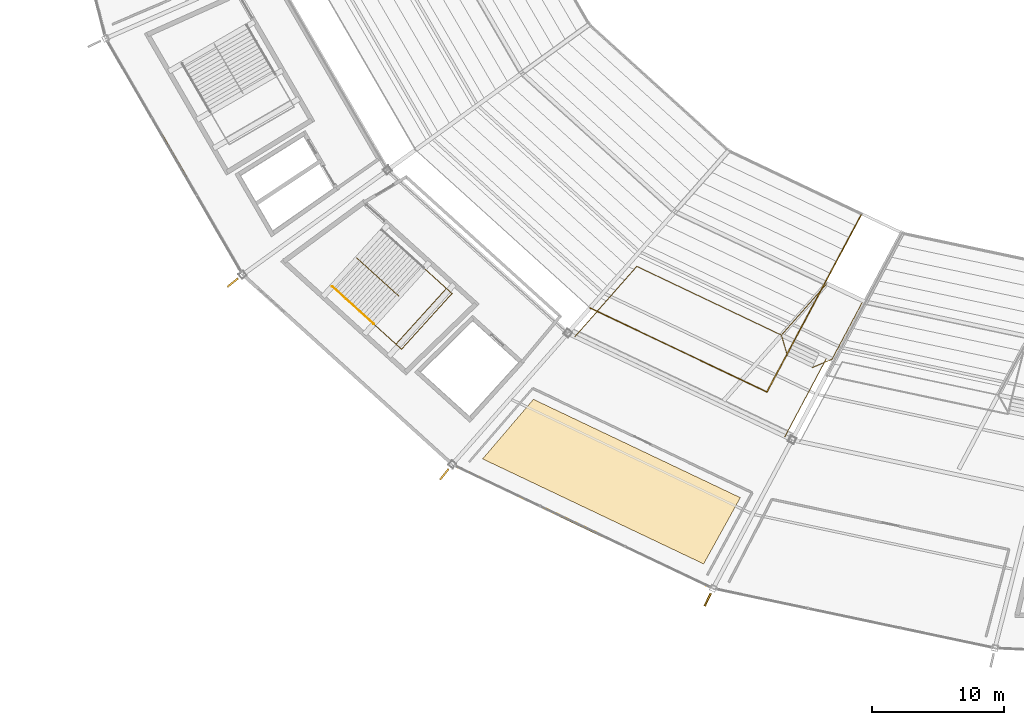
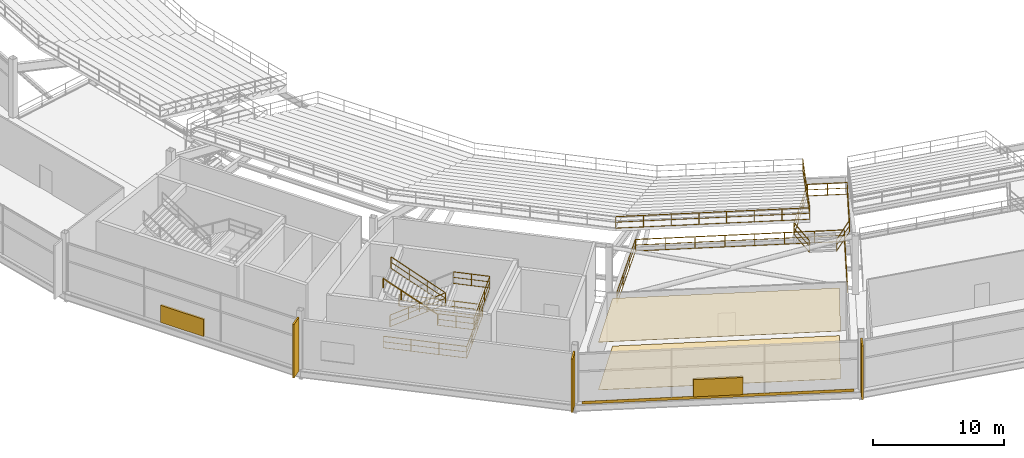
# One storey, part 169 of 186: 8 railings, 5 shading devices, 3 coverings.
"""IFC4 building model written with IfcOpenShell, lengths in metres."""

from ifc_helpers import new_model, si_unit, direction, frame, origin, origin_2d, place, context, subcontext, project, spatial, polyline, rectangle, outline, extrude, material, layer, layer_set, type_object, element, save


model = new_model("IFC4")

# Units and contexts
model_context = context("Model", 3, precision=1e-05, world=origin(), true_north=direction((0.0, 1.0)))
body_context = subcontext(model_context, "Body", "Model", "MODEL_VIEW")
ifc_project = project(units=[si_unit("LENGTHUNIT", "METRE"), si_unit("AREAUNIT", "SQUARE_METRE"), si_unit("VOLUMEUNIT", "CUBIC_METRE"), si_unit("PLANEANGLEUNIT", "RADIAN"), si_unit("MASSUNIT", "GRAM", prefix="KILO")], contexts=[model_context])

# Site, building, storey
site_placement = place(None, origin())
site = spatial("IfcSite", under=ifc_project, at=site_placement, CompositionType="ELEMENT")
building_placement = place(site_placement, origin())
building = spatial("IfcBuilding", under=site, at=building_placement, Name="Kazemori Nagisa Stadium", CompositionType="ELEMENT")
storey_placement = place(building_placement, frame((0.0, 0.0, 20.39990234375)))
storey = spatial("IfcBuildingStorey", under=building, at=storey_placement, Name="L04", CompositionType="ELEMENT", Elevation=20.39990234375)

# Coverings
ifc_material_1 = material(Name="Mineral-fibre acoustic board", Category="gypsum")
ifc_layer_1 = layer(ifc_material_1, 0.02001953125, Name="Mineral-fibre acoustic board", Category="gypsum")
ifc_layer_set_1 = layer_set([ifc_layer_1], Name="Mineral-fibre acoustic board")
covering_type_1 = type_object("IfcCoveringType", Name="Cov_CEIL", PredefinedType="CEILING", material=ifc_layer_set_1)
covering_1_placement = place(storey_placement, frame((0.0, 0.0, 4.4501953125)))
element("IfcCovering", 1, at=covering_1_placement, inside=storey, type_object=covering_type_1, Name="Acoustic ceiling L04-B19", PredefinedType="CEILING", context=body_context, shape_type="SweptSolid", body=[
    extrude(outline(polyline([(66.56201171875, 35.876708984375), (82.256591796875, 28.4189453125), (79.47265625, 23.39111328125), (62.705810546875, 31.3583984375), (66.56201171875, 35.876708984375)])), origin(), (0.0, 0.0, 1.0), 0.02001953125),
])
ifc_material_2 = material(Name="Porcelain stoneware tile", Category="masonry")
ifc_layer_2 = layer(ifc_material_2, 0.02490234375, Name="Porcelain stoneware tile", Category="masonry")
ifc_layer_set_2 = layer_set([ifc_layer_2], Name="Porcelain stoneware tile")
covering_type_2 = type_object("IfcCoveringType", Name="Cov_FLOOR", PredefinedType="FLOORING", material=ifc_layer_set_2)
covering_2_placement = place(storey_placement, origin())
element("IfcCovering", 2, at=covering_2_placement, inside=storey, type_object=covering_type_2, Name="Porcelain floor finish L04-B19", PredefinedType="FLOORING", context=body_context, shape_type="SweptSolid", body=[
    extrude(outline(polyline([(66.56201171875, 35.876708984375), (82.256591796875, 28.4189453125), (79.47265625, 23.39111328125), (62.705810546875, 31.3583984375), (66.56201171875, 35.876708984375)])), origin(), (0.0, 0.0, 1.0), 0.025146484375),
])
ifc_material_3 = material(Name="Anodised aluminium 6063-T5", Category="aluminium")
ifc_layer_3 = layer(ifc_material_3, 0.034912109375, Name="Anodised aluminium 6063-T5", Category="aluminium")
ifc_layer_set_3 = layer_set([ifc_layer_3], Name="Anodised aluminium 6063-T5")
covering_type_3 = type_object("IfcCoveringType", Name="Covering_CLAD", PredefinedType="CLADDING", material=ifc_layer_set_3)
covering_3_placement = place(storey_placement, frame((70.298583984375, 26.23828125, -0.259765625), z_axis=(0.0, 0.0, 1.0), x_axis=(0.903215892654, -0.429186499388, 0.0)))
element("IfcCovering", 3, at=covering_3_placement, inside=storey, type_object=covering_type_3, Name="Anodised fascia cladding L04-B19", PredefinedType="CLADDING", context=body_context, shape_type="SweptSolid", body=[
    extrude(rectangle(XDim=20.814208984375, YDim=0.0400390625, at=origin_2d()), origin(), (0.0, 0.0, 1.0), 0.260009765625),
])

# Shading devices
ifc_material_4 = material(Name="Aluminium 6063-T5 anodised", Category="aluminium")
shading_device_type_1 = type_object("IfcShadingDeviceType", Name="Fin_FN03", PredefinedType="USERDEFINED", material=ifc_material_4)
for number, where, z_axis, x_axis, name in (
    (4, (43.758056640625, 44.73681640625, 0.0), (0.0, 0.0, 1.0), (-0.781831482473, -0.623489801853, 0.0), "Aerodynamic wave shading fin L04-18"),
    (5, (59.806640625, 30.1943359375, 0.0), (0.0, 0.0, 1.0), (-0.623489801853, -0.781831482473, 0.0), "Aerodynamic wave shading fin L04-19"),
    (6, (79.781005859375, 20.67529296875, 0.0), (0.0, 0.0, 1.0), (-0.433883739113, -0.900968867905, 0.0), "Aerodynamic wave shading fin L04-20"),
):
    element("IfcShadingDevice", number, at=place(storey_placement, frame(where, z_axis=z_axis, x_axis=x_axis)), inside=storey, type_object=shading_device_type_1, Name=name, ObjectType="FIN", PredefinedType="USERDEFINED", context=body_context, shape_type="SweptSolid", body=[
        extrude(rectangle(XDim=1.050048828125, YDim=0.139892578125, at=origin_2d()), origin(), (0.0, 0.0, 1.0), 5.0),
    ])
shading_device_type_2 = type_object("IfcShadingDeviceType", Name="Louvre_LV02", PredefinedType="JALOUSIE", material=ifc_material_4)
for number, where, z_axis, x_axis, name in (
    (7, (39.309814453125, 54.29150390625, -0.010009765625), (0.0, 0.0, 1.0), (0.501611590054, -0.865092950337, 0.0), "Concourse ventilation louvre L04-B17"),
    (8, (70.298583984375, 26.23828125, -0.010009765625), (0.0, 0.0, 1.0), (0.903215892654, -0.429186499388, 0.0), "Concourse ventilation louvre L04-B19"),
):
    element("IfcShadingDevice", number, at=place(storey_placement, frame(where, z_axis=z_axis, x_axis=x_axis)), inside=storey, type_object=shading_device_type_2, Name=name, PredefinedType="JALOUSIE", context=body_context, shape_type="SweptSolid", body=[
        extrude(rectangle(XDim=3.800048828125, YDim=0.179931640625, at=origin_2d()), origin(), (0.0, 0.0, 1.0), 1.60009765625),
    ])

# Railings
ifc_material_5 = material(Name="Laminated safety glass and stainless steel SUS304", Category="steel")
railing_type_1 = type_object("IfcRailingType", Name="Rail_BAL", PredefinedType="BALUSTRADE", material=ifc_material_5)
railing_1_placement = place(storey_placement, frame((69.707763671875, 40.6318359375, 0.0)))
element("IfcRailing", 9, at=railing_1_placement, inside=storey, type_object=railing_type_1, Name="Upper vomitory lobby balustrade B19", PredefinedType="BALUSTRADE", context=body_context, shape_type="SweptSolid", body=[
    extrude(rectangle(XDim=0.050048828125, YDim=0.050048828125, at=origin_2d()), frame((0.0, 0.0, 1.09521484375), z_axis=(0.661024552445, 0.750364272247, 0.0), x_axis=(-0.750364272247, 0.661024552445, 0.0)), (0.0, 0.0, 1.0), 7.102294921875),
    extrude(rectangle(XDim=0.03759765625, YDim=0.03759765625, at=origin_2d()), frame((0.0, 0.0, 0.58251953125), z_axis=(0.661024552445, 0.750364272247, 0.0), x_axis=(-0.750364272247, 0.661024552445, 0.0)), (0.0, 0.0, 1.0), 7.102294921875),
    extrude(rectangle(XDim=0.03759765625, YDim=0.03759765625, at=origin_2d()), frame((0.0, 0.0, 0.02490234375), z_axis=(0.661024552445, 0.750364272247, 0.0), x_axis=(-0.750364272247, 0.661024552445, 0.0)), (0.0, 0.0, 1.0), 7.102294921875),
    extrude(rectangle(XDim=0.050048828125, YDim=0.050048828125, at=origin_2d()), frame((4.69482421875, 5.329345703125, 1.09521484375), z_axis=(0.903214968311, -0.429188444648, 0.0), x_axis=(0.429188444648, 0.903214968311, 0.0)), (0.0, 0.0, 1.0), 16.002685546875),
    extrude(rectangle(XDim=0.03759765625, YDim=0.03759765625, at=origin_2d()), frame((4.69482421875, 5.329345703125, 0.58251953125), z_axis=(0.903214968311, -0.429188444648, 0.0), x_axis=(0.429188444648, 0.903214968311, 0.0)), (0.0, 0.0, 1.0), 16.002685546875),
    extrude(rectangle(XDim=0.03759765625, YDim=0.03759765625, at=origin_2d()), frame((4.69482421875, 5.329345703125, 0.02490234375), z_axis=(0.903214968311, -0.429188444648, 0.0), x_axis=(0.429188444648, 0.903214968311, 0.0)), (0.0, 0.0, 1.0), 16.002685546875),
    extrude(rectangle(XDim=0.050048828125, YDim=0.050048828125, at=origin_2d()), frame((19.148681640625, -1.538818359375, 1.09521484375), z_axis=(-0.469672205384, -0.882840880051, 0.0), x_axis=(0.882840880051, -0.469672205384, 0.0)), (0.0, 0.0, 1.0), 6.83544921875),
    extrude(rectangle(XDim=0.03759765625, YDim=0.03759765625, at=origin_2d()), frame((19.148681640625, -1.538818359375, 0.58251953125), z_axis=(-0.469672205384, -0.882840880051, 0.0), x_axis=(0.882840880051, -0.469672205384, 0.0)), (0.0, 0.0, 1.0), 6.83544921875),
    extrude(rectangle(XDim=0.03759765625, YDim=0.03759765625, at=origin_2d()), frame((19.148681640625, -1.538818359375, 0.02490234375), z_axis=(-0.469672205384, -0.882840880051, 0.0), x_axis=(0.882840880051, -0.469672205384, 0.0)), (0.0, 0.0, 1.0), 6.83544921875),
    extrude(rectangle(XDim=0.044921875, YDim=0.044921875, at=origin_2d()), origin(), (0.0, 0.0, 1.0), 1.070068359375),
    extrude(rectangle(XDim=0.044921875, YDim=0.044921875, at=origin_2d()), frame((1.56494140625, 1.7763671875, 0.0)), (0.0, 0.0, 1.0), 1.070068359375),
    extrude(rectangle(XDim=0.044921875, YDim=0.044921875, at=origin_2d()), frame((3.1298828125, 3.552978515625, 0.0)), (0.0, 0.0, 1.0), 1.070068359375),
    extrude(rectangle(XDim=0.044921875, YDim=0.044921875, at=origin_2d()), frame((4.69482421875, 5.329345703125, 0.0)), (0.0, 0.0, 1.0), 1.070068359375),
    extrude(rectangle(XDim=0.044921875, YDim=0.044921875, at=origin_2d()), frame((6.759765625, 4.34814453125, 0.0)), (0.0, 0.0, 1.0), 1.070068359375),
    extrude(rectangle(XDim=0.044921875, YDim=0.044921875, at=origin_2d()), frame((8.824462890625, 3.366943359375, 0.0)), (0.0, 0.0, 1.0), 1.070068359375),
    extrude(rectangle(XDim=0.044921875, YDim=0.044921875, at=origin_2d()), frame((10.889404296875, 2.3857421875, 0.0)), (0.0, 0.0, 1.0), 1.070068359375),
    extrude(rectangle(XDim=0.044921875, YDim=0.044921875, at=origin_2d()), frame((12.9541015625, 1.40478515625, 0.0)), (0.0, 0.0, 1.0), 1.070068359375),
    extrude(rectangle(XDim=0.044921875, YDim=0.044921875, at=origin_2d()), frame((15.01904296875, 0.423583984375, 0.0)), (0.0, 0.0, 1.0), 1.070068359375),
    extrude(rectangle(XDim=0.044921875, YDim=0.044921875, at=origin_2d()), frame((17.083740234375, -0.5576171875, 0.0)), (0.0, 0.0, 1.0), 1.070068359375),
    extrude(rectangle(XDim=0.044921875, YDim=0.044921875, at=origin_2d()), frame((19.148681640625, -1.538818359375, 0.0)), (0.0, 0.0, 1.0), 1.070068359375),
    extrude(rectangle(XDim=0.044921875, YDim=0.044921875, at=origin_2d()), frame((18.07861328125, -3.55029296875, 0.0)), (0.0, 0.0, 1.0), 1.070068359375),
    extrude(rectangle(XDim=0.044921875, YDim=0.044921875, at=origin_2d()), frame((17.00830078125, -5.56201171875, 0.0)), (0.0, 0.0, 1.0), 1.070068359375),
    extrude(rectangle(XDim=0.044921875, YDim=0.044921875, at=origin_2d()), frame((15.938232421875, -7.573486328125, 0.0)), (0.0, 0.0, 1.0), 1.070068359375),
])
ifc_material_6 = material(Name="Galvanised powder-coated steel", Category="steel")
railing_type_2 = type_object("IfcRailingType", Name="Rail_GUARD", PredefinedType="GUARDRAIL", material=ifc_material_6)
railing_2_placement = place(storey_placement, frame((55.12353515625, 48.665771484375, 0.0)))
element("IfcRailing", 10, at=railing_2_placement, inside=storey, type_object=railing_type_2, Name="Stair well perimeter guard ST03-L04", PredefinedType="GUARDRAIL", context=body_context, shape_type="SweptSolid", body=[
    extrude(rectangle(XDim=0.050048828125, YDim=0.050048828125, at=origin_2d()), frame((0.0, 0.0, 1.09521484375), z_axis=(0.741348719967, -0.671120015648, 0.0), x_axis=(0.671120015648, 0.741348719967, 0.0)), (0.0, 0.0, 1.0), 6.525146484375),
    extrude(rectangle(XDim=0.03759765625, YDim=0.03759765625, at=origin_2d()), frame((0.0, 0.0, 0.58251953125), z_axis=(0.741348719967, -0.671120015648, 0.0), x_axis=(0.671120015648, 0.741348719967, 0.0)), (0.0, 0.0, 1.0), 6.525146484375),
    extrude(rectangle(XDim=0.03759765625, YDim=0.03759765625, at=origin_2d()), frame((0.0, 0.0, 0.02490234375), z_axis=(0.741348719967, -0.671120015648, 0.0), x_axis=(0.671120015648, 0.741348719967, 0.0)), (0.0, 0.0, 1.0), 6.525146484375),
    extrude(rectangle(XDim=0.050048828125, YDim=0.050048828125, at=origin_2d()), frame((4.83740234375, -4.379150390625, 1.09521484375), z_axis=(-0.67113423669, -0.74133584585, 0.0), x_axis=(0.74133584585, -0.67113423669, 0.0)), (0.0, 0.0, 1.0), 5.699951171875),
    extrude(rectangle(XDim=0.03759765625, YDim=0.03759765625, at=origin_2d()), frame((4.83740234375, -4.379150390625, 0.58251953125), z_axis=(-0.67113423669, -0.74133584585, 0.0), x_axis=(0.74133584585, -0.67113423669, 0.0)), (0.0, 0.0, 1.0), 5.699951171875),
    extrude(rectangle(XDim=0.03759765625, YDim=0.03759765625, at=origin_2d()), frame((4.83740234375, -4.379150390625, 0.02490234375), z_axis=(-0.67113423669, -0.74133584585, 0.0), x_axis=(0.74133584585, -0.67113423669, 0.0)), (0.0, 0.0, 1.0), 5.699951171875),
    extrude(rectangle(XDim=0.050048828125, YDim=0.050048828125, at=origin_2d()), frame((1.011962890625, -8.604736328125, 1.09521484375), z_axis=(-0.741350483516, 0.671118067549, 0.0), x_axis=(-0.671118067549, -0.741350483516, 0.0)), (0.0, 0.0, 1.0), 6.52490234375),
    extrude(rectangle(XDim=0.03759765625, YDim=0.03759765625, at=origin_2d()), frame((1.011962890625, -8.604736328125, 0.58251953125), z_axis=(-0.741350483516, 0.671118067549, 0.0), x_axis=(-0.671118067549, -0.741350483516, 0.0)), (0.0, 0.0, 1.0), 6.52490234375),
    extrude(rectangle(XDim=0.03759765625, YDim=0.03759765625, at=origin_2d()), frame((1.011962890625, -8.604736328125, 0.02490234375), z_axis=(-0.741350483516, 0.671118067549, 0.0), x_axis=(-0.671118067549, -0.741350483516, 0.0)), (0.0, 0.0, 1.0), 6.52490234375),
    extrude(rectangle(XDim=0.044921875, YDim=0.044921875, at=origin_2d()), origin(), (0.0, 0.0, 1.0), 1.070068359375),
    extrude(rectangle(XDim=0.044921875, YDim=0.044921875, at=origin_2d()), frame((1.612548828125, -1.459716796875, 0.0)), (0.0, 0.0, 1.0), 1.070068359375),
    extrude(rectangle(XDim=0.044921875, YDim=0.044921875, at=origin_2d()), frame((3.224853515625, -2.91943359375, 0.0)), (0.0, 0.0, 1.0), 1.070068359375),
    extrude(rectangle(XDim=0.044921875, YDim=0.044921875, at=origin_2d()), frame((4.83740234375, -4.379150390625, 0.0)), (0.0, 0.0, 1.0), 1.070068359375),
    extrude(rectangle(XDim=0.044921875, YDim=0.044921875, at=origin_2d()), frame((3.562255859375, -5.78759765625, 0.0)), (0.0, 0.0, 1.0), 1.070068359375),
    extrude(rectangle(XDim=0.044921875, YDim=0.044921875, at=origin_2d()), frame((2.287109375, -7.1962890625, 0.0)), (0.0, 0.0, 1.0), 1.070068359375),
    extrude(rectangle(XDim=0.044921875, YDim=0.044921875, at=origin_2d()), frame((1.011962890625, -8.604736328125, 0.0)), (0.0, 0.0, 1.0), 1.070068359375),
    extrude(rectangle(XDim=0.044921875, YDim=0.044921875, at=origin_2d()), frame((-0.600341796875, -7.14501953125, 0.0)), (0.0, 0.0, 1.0), 1.070068359375),
    extrude(rectangle(XDim=0.044921875, YDim=0.044921875, at=origin_2d()), frame((-2.212890625, -5.685546875, 0.0)), (0.0, 0.0, 1.0), 1.070068359375),
    extrude(rectangle(XDim=0.044921875, YDim=0.044921875, at=origin_2d()), frame((-3.8251953125, -4.225830078125, 0.0)), (0.0, 0.0, 1.0), 1.070068359375),
])
railing_3_placement = place(storey_placement, frame((53.151611328125, 46.606689453125, 0.0)))
element("IfcRailing", 11, at=railing_3_placement, inside=storey, type_object=railing_type_2, Name="Stair central guard ST03-L04", PredefinedType="GUARDRAIL", context=body_context, shape_type="SweptSolid", body=[
    extrude(rectangle(XDim=0.050048828125, YDim=0.050048828125, at=origin_2d()), frame((0.0, 0.0, 1.09521484375), z_axis=(0.627541812823, -0.568099033934, 0.53240469645), x_axis=(0.67112318634, 0.741345849626, 0.0)), (0.0, 0.0, 1.0), 5.109375),
    extrude(rectangle(XDim=0.03759765625, YDim=0.03759765625, at=origin_2d()), frame((0.0, 0.0, 0.58251953125), z_axis=(0.627541812823, -0.568099033934, 0.53240469645), x_axis=(0.67112318634, 0.741345849626, 0.0)), (0.0, 0.0, 1.0), 5.109375),
    extrude(rectangle(XDim=0.03759765625, YDim=0.03759765625, at=origin_2d()), frame((0.0, 0.0, 0.02490234375), z_axis=(0.627541812823, -0.568099033934, 0.53240469645), x_axis=(0.67112318634, 0.741345849626, 0.0)), (0.0, 0.0, 1.0), 5.109375),
    extrude(rectangle(XDim=0.050048828125, YDim=0.050048828125, at=origin_2d()), frame((3.206298828125, -2.902587890625, 3.8154296875), z_axis=(-0.624200602078, 0.565073454279, 0.539504957933), x_axis=(-0.671122625547, -0.741346357298, 0.0)), (0.0, 0.0, 1.0), 5.04150390625),
    extrude(rectangle(XDim=0.03759765625, YDim=0.03759765625, at=origin_2d()), frame((3.206298828125, -2.902587890625, 3.302734375), z_axis=(-0.624200602078, 0.565073454279, 0.539504957933), x_axis=(-0.671122625547, -0.741346357298, 0.0)), (0.0, 0.0, 1.0), 5.04150390625),
    extrude(rectangle(XDim=0.03759765625, YDim=0.03759765625, at=origin_2d()), frame((3.206298828125, -2.902587890625, 2.7451171875), z_axis=(-0.624200602078, 0.565073454279, 0.539504957933), x_axis=(-0.671122625547, -0.741346357298, 0.0)), (0.0, 0.0, 1.0), 5.04150390625),
    extrude(rectangle(XDim=0.044921875, YDim=0.044921875, at=origin_2d()), origin(), (0.0, 0.0, 1.0), 1.070068359375),
    extrude(rectangle(XDim=0.044921875, YDim=0.044921875, at=origin_2d()), frame((1.06884765625, -0.967529296875, 0.90673828125)), (0.0, 0.0, 1.0), 1.070068359375),
    extrude(rectangle(XDim=0.044921875, YDim=0.044921875, at=origin_2d()), frame((2.137451171875, -1.93505859375, 1.8134765625)), (0.0, 0.0, 1.0), 1.070068359375),
    extrude(rectangle(XDim=0.044921875, YDim=0.044921875, at=origin_2d()), frame((3.206298828125, -2.902587890625, 2.72021484375)), (0.0, 0.0, 1.0), 1.070068359375),
    extrude(rectangle(XDim=0.044921875, YDim=0.044921875, at=origin_2d()), frame((2.1572265625, -1.952880859375, 3.626953125)), (0.0, 0.0, 1.0), 1.070068359375),
    extrude(rectangle(XDim=0.044921875, YDim=0.044921875, at=origin_2d()), frame((1.1083984375, -1.00341796875, 4.533447265625)), (0.0, 0.0, 1.0), 1.070068359375),
    extrude(rectangle(XDim=0.044921875, YDim=0.044921875, at=origin_2d()), frame((0.059326171875, -0.0537109375, 5.440185546875)), (0.0, 0.0, 1.0), 1.070068359375),
])
railing_4_placement = place(storey_placement, frame((58.270751953125, 45.81689453125, 2.72021484375)))
element("IfcRailing", 12, at=railing_4_placement, inside=storey, type_object=railing_type_2, Name="Stair landing guard ST03-L04", PredefinedType="GUARDRAIL", context=body_context, shape_type="SweptSolid", body=[
    extrude(rectangle(XDim=0.050048828125, YDim=0.050048828125, at=origin_2d()), frame((0.0, 0.0, 1.09521484375), z_axis=(0.741314535645, -0.671157775223, 0.0), x_axis=(0.671157775223, 0.741314535645, 0.0)), (0.0, 0.0, 1.0), 2.85009765625),
    extrude(rectangle(XDim=0.03759765625, YDim=0.03759765625, at=origin_2d()), frame((0.0, 0.0, 0.58251953125), z_axis=(0.741314535645, -0.671157775223, 0.0), x_axis=(0.671157775223, 0.741314535645, 0.0)), (0.0, 0.0, 1.0), 2.85009765625),
    extrude(rectangle(XDim=0.03759765625, YDim=0.03759765625, at=origin_2d()), frame((0.0, 0.0, 0.02490234375), z_axis=(0.741314535645, -0.671157775223, 0.0), x_axis=(0.671157775223, 0.741314535645, 0.0)), (0.0, 0.0, 1.0), 2.85009765625),
    extrude(rectangle(XDim=0.050048828125, YDim=0.050048828125, at=origin_2d()), frame((2.11279296875, -1.912841796875, 1.09521484375), z_axis=(-0.67113423669, -0.74133584585, 0.0), x_axis=(0.74133584585, -0.67113423669, 0.0)), (0.0, 0.0, 1.0), 5.699951171875),
    extrude(rectangle(XDim=0.03759765625, YDim=0.03759765625, at=origin_2d()), frame((2.11279296875, -1.912841796875, 0.58251953125), z_axis=(-0.67113423669, -0.74133584585, 0.0), x_axis=(0.74133584585, -0.67113423669, 0.0)), (0.0, 0.0, 1.0), 5.699951171875),
    extrude(rectangle(XDim=0.03759765625, YDim=0.03759765625, at=origin_2d()), frame((2.11279296875, -1.912841796875, 0.02490234375), z_axis=(-0.67113423669, -0.74133584585, 0.0), x_axis=(0.74133584585, -0.67113423669, 0.0)), (0.0, 0.0, 1.0), 5.699951171875),
    extrude(rectangle(XDim=0.050048828125, YDim=0.050048828125, at=origin_2d()), frame((-1.712646484375, -6.138427734375, 1.09521484375), z_axis=(-0.741357156534, 0.671110696127, 0.0), x_axis=(-0.671110696127, -0.741357156534, 0.0)), (0.0, 0.0, 1.0), 2.849853515625),
    extrude(rectangle(XDim=0.03759765625, YDim=0.03759765625, at=origin_2d()), frame((-1.712646484375, -6.138427734375, 0.58251953125), z_axis=(-0.741357156534, 0.671110696127, 0.0), x_axis=(-0.671110696127, -0.741357156534, 0.0)), (0.0, 0.0, 1.0), 2.849853515625),
    extrude(rectangle(XDim=0.03759765625, YDim=0.03759765625, at=origin_2d()), frame((-1.712646484375, -6.138427734375, 0.02490234375), z_axis=(-0.741357156534, 0.671110696127, 0.0), x_axis=(-0.671110696127, -0.741357156534, 0.0)), (0.0, 0.0, 1.0), 2.849853515625),
    extrude(rectangle(XDim=0.044921875, YDim=0.044921875, at=origin_2d()), origin(), (0.0, 0.0, 1.0), 1.070068359375),
    extrude(rectangle(XDim=0.044921875, YDim=0.044921875, at=origin_2d()), frame((1.056396484375, -0.95654296875, 0.0)), (0.0, 0.0, 1.0), 1.070068359375),
    extrude(rectangle(XDim=0.044921875, YDim=0.044921875, at=origin_2d()), frame((2.11279296875, -1.912841796875, 0.0)), (0.0, 0.0, 1.0), 1.070068359375),
    extrude(rectangle(XDim=0.044921875, YDim=0.044921875, at=origin_2d()), frame((0.837646484375, -3.3212890625, 0.0)), (0.0, 0.0, 1.0), 1.070068359375),
    extrude(rectangle(XDim=0.044921875, YDim=0.044921875, at=origin_2d()), frame((-0.4375, -4.72998046875, 0.0)), (0.0, 0.0, 1.0), 1.070068359375),
    extrude(rectangle(XDim=0.044921875, YDim=0.044921875, at=origin_2d()), frame((-1.712646484375, -6.138427734375, 0.0)), (0.0, 0.0, 1.0), 1.070068359375),
    extrude(rectangle(XDim=0.044921875, YDim=0.044921875, at=origin_2d()), frame((-2.76904296875, -5.18212890625, 0.0)), (0.0, 0.0, 1.0), 1.070068359375),
    extrude(rectangle(XDim=0.044921875, YDim=0.044921875, at=origin_2d()), frame((-3.825439453125, -4.225830078125, 0.0)), (0.0, 0.0, 1.0), 1.070068359375),
])
railing_5_placement = place(storey_placement, frame((85.828125, 39.1923828125, 0.0)))
element("IfcRailing", 13, at=railing_5_placement, inside=storey, type_object=railing_type_2, Name="Vomitory upper portal guard VU08", PredefinedType="GUARDRAIL", context=body_context, shape_type="SweptSolid", body=[
    extrude(rectangle(XDim=0.050048828125, YDim=0.050048828125, at=origin_2d()), frame((0.0, 0.0, 1.09521484375), z_axis=(-0.246140876124, 0.843552190311, 0.477319988396), x_axis=(-0.959967929481, -0.280109932649, 0.0)), (0.0, 0.0, 1.0), 1.843994140625),
    extrude(rectangle(XDim=0.03759765625, YDim=0.03759765625, at=origin_2d()), frame((0.0, 0.0, 0.58251953125), z_axis=(-0.246140876124, 0.843552190311, 0.477319988396), x_axis=(-0.959967929481, -0.280109932649, 0.0)), (0.0, 0.0, 1.0), 1.843994140625),
    extrude(rectangle(XDim=0.03759765625, YDim=0.03759765625, at=origin_2d()), frame((0.0, 0.0, 0.02490234375), z_axis=(-0.246140876124, 0.843552190311, 0.477319988396), x_axis=(-0.959967929481, -0.280109932649, 0.0)), (0.0, 0.0, 1.0), 1.843994140625),
    extrude(rectangle(XDim=0.050048828125, YDim=0.050048828125, at=origin_2d()), frame((-0.453857421875, 1.555419921875, 1.97509765625), z_axis=(0.661023002434, 0.750365637708, 0.0), x_axis=(-0.750365637708, 0.661023002434, 0.0)), (0.0, 0.0, 1.0), 5.20849609375),
    extrude(rectangle(XDim=0.03759765625, YDim=0.03759765625, at=origin_2d()), frame((-0.453857421875, 1.555419921875, 1.462646484375), z_axis=(0.661023002434, 0.750365637708, 0.0), x_axis=(-0.750365637708, 0.661023002434, 0.0)), (0.0, 0.0, 1.0), 5.20849609375),
    extrude(rectangle(XDim=0.03759765625, YDim=0.03759765625, at=origin_2d()), frame((-0.453857421875, 1.555419921875, 0.9052734375), z_axis=(0.661023002434, 0.750365637708, 0.0), x_axis=(-0.750365637708, 0.661023002434, 0.0)), (0.0, 0.0, 1.0), 5.20849609375),
    extrude(rectangle(XDim=0.050048828125, YDim=0.050048828125, at=origin_2d()), frame((2.989013671875, 5.463623046875, 1.97509765625), z_axis=(0.903212348793, -0.429193957305, 0.0), x_axis=(0.429193957305, 0.903212348793, 0.0)), (0.0, 0.0, 1.0), 3.050048828125),
    extrude(rectangle(XDim=0.03759765625, YDim=0.03759765625, at=origin_2d()), frame((2.989013671875, 5.463623046875, 1.462646484375), z_axis=(0.903212348793, -0.429193957305, 0.0), x_axis=(0.429193957305, 0.903212348793, 0.0)), (0.0, 0.0, 1.0), 3.050048828125),
    extrude(rectangle(XDim=0.03759765625, YDim=0.03759765625, at=origin_2d()), frame((2.989013671875, 5.463623046875, 0.9052734375), z_axis=(0.903212348793, -0.429193957305, 0.0), x_axis=(0.429193957305, 0.903212348793, 0.0)), (0.0, 0.0, 1.0), 3.050048828125),
    extrude(rectangle(XDim=0.050048828125, YDim=0.050048828125, at=origin_2d()), frame((5.743896484375, 4.154541015625, 1.97509765625), z_axis=(-0.469688087426, -0.882832430606, 0.0), x_axis=(0.882832430606, -0.469688087426, 0.0)), (0.0, 0.0, 1.0), 5.012939453125),
    extrude(rectangle(XDim=0.03759765625, YDim=0.03759765625, at=origin_2d()), frame((5.743896484375, 4.154541015625, 1.462646484375), z_axis=(-0.469688087426, -0.882832430606, 0.0), x_axis=(0.882832430606, -0.469688087426, 0.0)), (0.0, 0.0, 1.0), 5.012939453125),
    extrude(rectangle(XDim=0.03759765625, YDim=0.03759765625, at=origin_2d()), frame((5.743896484375, 4.154541015625, 0.9052734375), z_axis=(-0.469688087426, -0.882832430606, 0.0), x_axis=(0.882832430606, -0.469688087426, 0.0)), (0.0, 0.0, 1.0), 5.012939453125),
    extrude(rectangle(XDim=0.050048828125, YDim=0.050048828125, at=origin_2d()), frame((3.389404296875, -0.27099609375, 1.97509765625), z_axis=(-0.809462865621, -0.341899741376, -0.477361954943), x_axis=(0.38909424428, -0.921197953248, 0.0)), (0.0, 0.0, 1.0), 1.84375),
    extrude(rectangle(XDim=0.03759765625, YDim=0.03759765625, at=origin_2d()), frame((3.389404296875, -0.27099609375, 1.462646484375), z_axis=(-0.809462865621, -0.341899741376, -0.477361954943), x_axis=(0.38909424428, -0.921197953248, 0.0)), (0.0, 0.0, 1.0), 1.84375),
    extrude(rectangle(XDim=0.03759765625, YDim=0.03759765625, at=origin_2d()), frame((3.389404296875, -0.27099609375, 0.9052734375), z_axis=(-0.809462865621, -0.341899741376, -0.477361954943), x_axis=(0.38909424428, -0.921197953248, 0.0)), (0.0, 0.0, 1.0), 1.84375),
    extrude(rectangle(XDim=0.044921875, YDim=0.044921875, at=origin_2d()), origin(), (0.0, 0.0, 1.0), 1.070068359375),
    extrude(rectangle(XDim=0.044921875, YDim=0.044921875, at=origin_2d()), frame((-0.453857421875, 1.555419921875, 0.880126953125)), (0.0, 0.0, 1.0), 1.070068359375),
    extrude(rectangle(XDim=0.044921875, YDim=0.044921875, at=origin_2d()), frame((0.69384765625, 2.858154296875, 0.880126953125)), (0.0, 0.0, 1.0), 1.070068359375),
    extrude(rectangle(XDim=0.044921875, YDim=0.044921875, at=origin_2d()), frame((1.84130859375, 4.160888671875, 0.880126953125)), (0.0, 0.0, 1.0), 1.070068359375),
    extrude(rectangle(XDim=0.044921875, YDim=0.044921875, at=origin_2d()), frame((2.989013671875, 5.463623046875, 0.880126953125)), (0.0, 0.0, 1.0), 1.070068359375),
    extrude(rectangle(XDim=0.044921875, YDim=0.044921875, at=origin_2d()), frame((4.366455078125, 4.80908203125, 0.880126953125)), (0.0, 0.0, 1.0), 1.070068359375),
    extrude(rectangle(XDim=0.044921875, YDim=0.044921875, at=origin_2d()), frame((5.743896484375, 4.154541015625, 0.880126953125)), (0.0, 0.0, 1.0), 1.070068359375),
    extrude(rectangle(XDim=0.044921875, YDim=0.044921875, at=origin_2d()), frame((4.958984375, 2.679443359375, 0.880126953125)), (0.0, 0.0, 1.0), 1.070068359375),
    extrude(rectangle(XDim=0.044921875, YDim=0.044921875, at=origin_2d()), frame((4.17431640625, 1.2041015625, 0.880126953125)), (0.0, 0.0, 1.0), 1.070068359375),
    extrude(rectangle(XDim=0.044921875, YDim=0.044921875, at=origin_2d()), frame((3.389404296875, -0.27099609375, 0.880126953125)), (0.0, 0.0, 1.0), 1.070068359375),
    extrude(rectangle(XDim=0.044921875, YDim=0.044921875, at=origin_2d()), frame((1.89697265625, -0.9013671875, 0.0)), (0.0, 0.0, 1.0), 1.070068359375),
])
railing_6_placement = place(storey_placement, frame((70.85595703125, 42.807861328125, 5.280029296875)))
element("IfcRailing", 14, at=railing_6_placement, inside=storey, type_object=railing_type_2, Name="Upper tier rear guard B19", PredefinedType="GUARDRAIL", context=body_context, shape_type="SweptSolid", body=[
    extrude(rectangle(XDim=0.050048828125, YDim=0.050048828125, at=origin_2d()), frame((0.0, 0.0, 1.09521484375), z_axis=(0.903217779354, -0.429182528837, 0.0), x_axis=(0.429182528837, 0.903217779354, 0.0)), (0.0, 0.0, 1.0), 14.8544921875),
    extrude(rectangle(XDim=0.03759765625, YDim=0.03759765625, at=origin_2d()), frame((0.0, 0.0, 0.58251953125), z_axis=(0.903217779354, -0.429182528837, 0.0), x_axis=(0.429182528837, 0.903217779354, 0.0)), (0.0, 0.0, 1.0), 14.8544921875),
    extrude(rectangle(XDim=0.03759765625, YDim=0.03759765625, at=origin_2d()), frame((0.0, 0.0, 0.02490234375), z_axis=(0.903217779354, -0.429182528837, 0.0), x_axis=(0.429182528837, 0.903217779354, 0.0)), (0.0, 0.0, 1.0), 14.8544921875),
    extrude(rectangle(XDim=0.044921875, YDim=0.044921875, at=origin_2d()), origin(), (0.0, 0.0, 1.0), 1.070068359375),
    extrude(rectangle(XDim=0.044921875, YDim=0.044921875, at=origin_2d()), frame((1.916748046875, -0.91064453125, 0.0)), (0.0, 0.0, 1.0), 1.070068359375),
    extrude(rectangle(XDim=0.044921875, YDim=0.044921875, at=origin_2d()), frame((3.833251953125, -1.821533203125, 0.0)), (0.0, 0.0, 1.0), 1.070068359375),
    extrude(rectangle(XDim=0.044921875, YDim=0.044921875, at=origin_2d()), frame((5.75, -2.732177734375, 0.0)), (0.0, 0.0, 1.0), 1.070068359375),
    extrude(rectangle(XDim=0.044921875, YDim=0.044921875, at=origin_2d()), frame((7.666748046875, -3.64306640625, 0.0)), (0.0, 0.0, 1.0), 1.070068359375),
    extrude(rectangle(XDim=0.044921875, YDim=0.044921875, at=origin_2d()), frame((9.58349609375, -4.5537109375, 0.0)), (0.0, 0.0, 1.0), 1.070068359375),
    extrude(rectangle(XDim=0.044921875, YDim=0.044921875, at=origin_2d()), frame((11.5, -5.464599609375, 0.0)), (0.0, 0.0, 1.0), 1.070068359375),
    extrude(rectangle(XDim=0.044921875, YDim=0.044921875, at=origin_2d()), frame((13.416748046875, -6.375244140625, 0.0)), (0.0, 0.0, 1.0), 1.070068359375),
])
railing_7_placement = place(storey_placement, frame((91.4638671875, 49.950439453125, -0.8798828125)))
element("IfcRailing", 15, at=railing_7_placement, inside=storey, type_object=railing_type_2, Name="Upper tier radial step guard B19R", PredefinedType="GUARDRAIL", context=body_context, shape_type="SweptSolid", body=[
    extrude(rectangle(XDim=0.050048828125, YDim=0.050048828125, at=origin_2d()), frame((0.0, 0.0, 1.09521484375), z_axis=(-0.435716912192, -0.81905312209, 0.373232843711), x_axis=(0.882849883117, -0.469655281967, 0.0)), (0.0, 0.0, 1.0), 16.504150390625),
    extrude(rectangle(XDim=0.03759765625, YDim=0.03759765625, at=origin_2d()), frame((0.0, 0.0, 0.58251953125), z_axis=(-0.435716912192, -0.81905312209, 0.373232843711), x_axis=(0.882849883117, -0.469655281967, 0.0)), (0.0, 0.0, 1.0), 16.504150390625),
    extrude(rectangle(XDim=0.03759765625, YDim=0.03759765625, at=origin_2d()), frame((0.0, 0.0, 0.02490234375), z_axis=(-0.435716912192, -0.81905312209, 0.373232843711), x_axis=(0.882849883117, -0.469655281967, 0.0)), (0.0, 0.0, 1.0), 16.504150390625),
    extrude(rectangle(XDim=0.044921875, YDim=0.044921875, at=origin_2d()), origin(), (0.0, 0.0, 1.0), 1.070068359375),
    extrude(rectangle(XDim=0.044921875, YDim=0.044921875, at=origin_2d()), frame((-1.02734375, -1.93115234375, 0.8798828125)), (0.0, 0.0, 1.0), 1.070068359375),
    extrude(rectangle(XDim=0.044921875, YDim=0.044921875, at=origin_2d()), frame((-2.0546875, -3.8623046875, 1.760009765625)), (0.0, 0.0, 1.0), 1.070068359375),
    extrude(rectangle(XDim=0.044921875, YDim=0.044921875, at=origin_2d()), frame((-3.08203125, -5.79345703125, 2.639892578125)), (0.0, 0.0, 1.0), 1.070068359375),
    extrude(rectangle(XDim=0.044921875, YDim=0.044921875, at=origin_2d()), frame((-4.109130859375, -7.724365234375, 3.52001953125)), (0.0, 0.0, 1.0), 1.070068359375),
    extrude(rectangle(XDim=0.044921875, YDim=0.044921875, at=origin_2d()), frame((-5.136474609375, -9.655517578125, 4.39990234375)), (0.0, 0.0, 1.0), 1.070068359375),
    extrude(rectangle(XDim=0.044921875, YDim=0.044921875, at=origin_2d()), frame((-6.163818359375, -11.586669921875, 5.280029296875)), (0.0, 0.0, 1.0), 1.070068359375),
    extrude(rectangle(XDim=0.044921875, YDim=0.044921875, at=origin_2d()), frame((-7.191162109375, -13.517822265625, 6.159912109375)), (0.0, 0.0, 1.0), 1.070068359375),
])
ifc_material_7 = material(Name="Stainless steel SUS304", Category="steel")
railing_type_3 = type_object("IfcRailingType", Name="Rail_HAND", PredefinedType="HANDRAIL", material=ifc_material_7)
railing_8_placement = place(storey_placement, frame((54.4453125, 41.591064453125, 2.89013671875)))
element("IfcRailing", 16, at=railing_8_placement, inside=storey, type_object=railing_type_3, Name="Stair handrail ST03-L04-F2", PredefinedType="HANDRAIL", context=body_context, shape_type="SweptSolid", body=[
    extrude(rectangle(XDim=0.050048828125, YDim=0.050048828125, at=origin_2d()), frame((0.0, 0.0, 0.875), z_axis=(-0.624200602078, 0.565073454279, 0.539504957933), x_axis=(-0.671122625547, -0.741346357298, 0.0)), (0.0, 0.0, 1.0), 5.04150390625),
    extrude(rectangle(XDim=0.044921875, YDim=0.044921875, at=origin_2d()), origin(), (0.0, 0.0, 1.0), 0.849853515625),
    extrude(rectangle(XDim=0.044921875, YDim=0.044921875, at=origin_2d()), frame((-1.049072265625, 0.94970703125, 0.90673828125)), (0.0, 0.0, 1.0), 0.849853515625),
    extrude(rectangle(XDim=0.044921875, YDim=0.044921875, at=origin_2d()), frame((-2.097900390625, 1.899169921875, 1.813232421875)), (0.0, 0.0, 1.0), 0.849853515625),
    extrude(rectangle(XDim=0.044921875, YDim=0.044921875, at=origin_2d()), frame((-3.14697265625, 2.848876953125, 2.719970703125)), (0.0, 0.0, 1.0), 0.849853515625),
])

save(model, "model.ifc")
